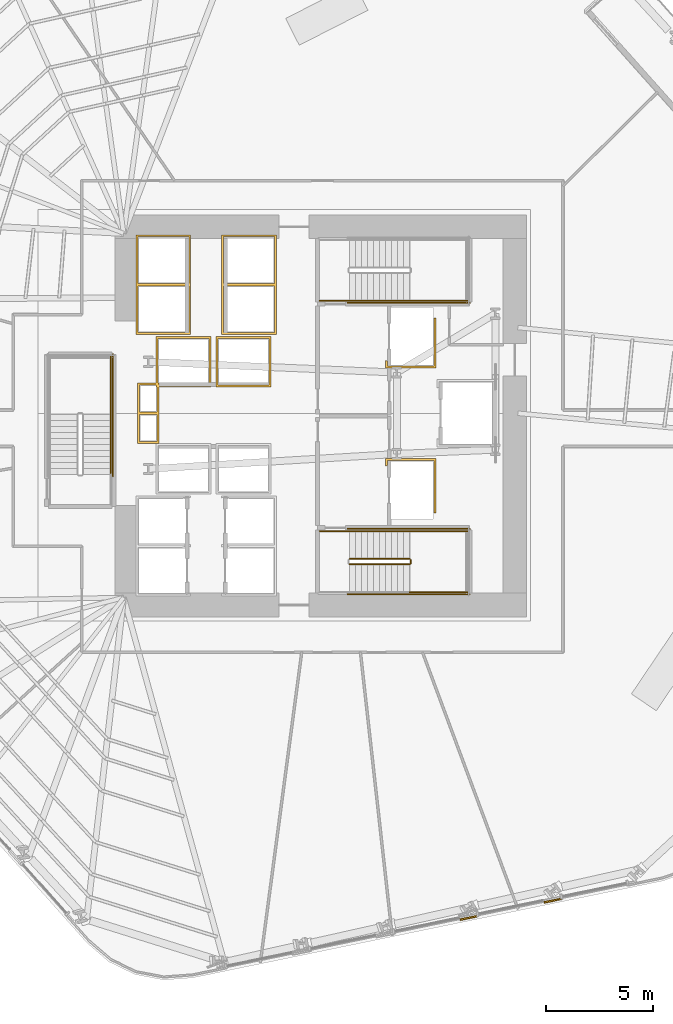
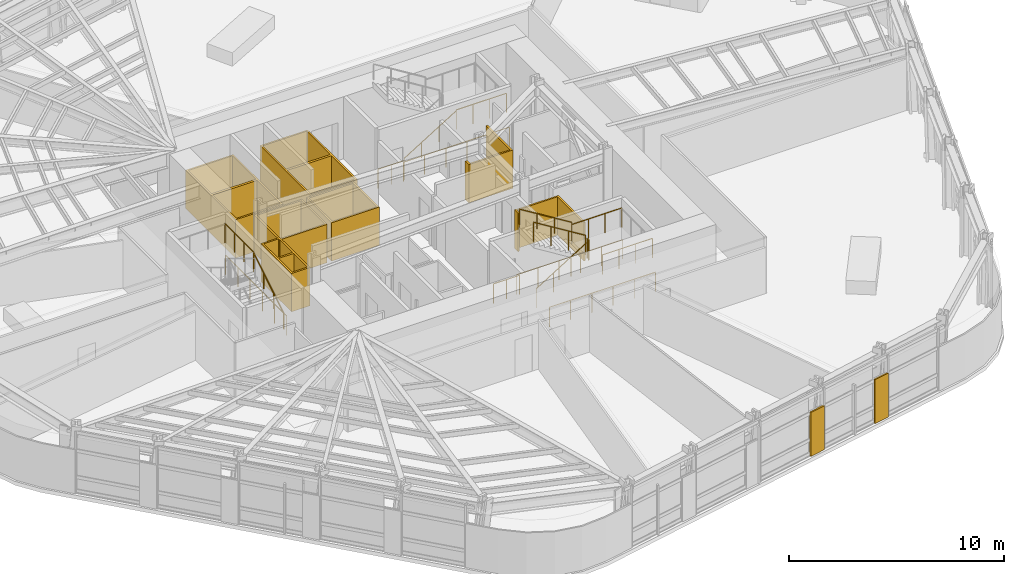
# One storey, part 13 of 17: 16 railings, 8 coverings.
"""IFC4 building model written with IfcOpenShell, lengths in metres."""

import ifcopenshell
import ifcopenshell.guid

model = None  # the IFC model being written
_history = None  # IfcOwnerHistory: only IFC2X3 demands one
_inside = {}  # id of a spatial element -> (the spatial element, [elements in it])
_under = {}  # id of a project, library or spatial element -> (it, [spatial elements below it])
_declared = {}  # id of a project -> (the project, [libraries it declares])
_typed = {}  # id of a type object -> (the type object, [elements of that type])
_made_of = {}  # id of a material, layer set ... -> (it, [elements and type objects made of it])


def new_model(schema):
    """Start an empty IFC model of exactly this schema.

    Asked for "IFC4X3", IfcOpenShell would pick the latest addendum, in which some entities
    have other attributes; the version numbers below select the first issue.
    IFC2X3 requires an IfcOwnerHistory on every rooted entity: one is made here for all.
    """
    global model, _history
    if schema == "IFC4X3":
        model = ifcopenshell.file(schema_version=(4, 3, 0, 0))
    else:
        model = ifcopenshell.file(schema=schema)
    _inside.clear()
    _under.clear()
    _declared.clear()
    _typed.clear()
    _made_of.clear()
    _history = None
    if model.schema == "IFC2X3":
        org = make("IfcOrganization", Name="unknown")
        user = make(
            "IfcPersonAndOrganization",
            ThePerson=make("IfcPerson", FamilyName="unknown"),
            TheOrganization=org,
        )
        app = make(
            "IfcApplication",
            ApplicationDeveloper=org,
            Version="unknown",
            ApplicationFullName="unknown",
            ApplicationIdentifier="unknown",
        )
        _history = make(
            "IfcOwnerHistory",
            OwningUser=user,
            OwningApplication=app,
            ChangeAction="ADDED",
            CreationDate=0,
        )
    return model


def make(cls, **values):
    """One entity of the class cls with the attributes given. An attribute that is None is left unset."""
    return model.create_entity(
        cls, **{name: value for name, value in values.items() if value is not None}
    )


def rooted(cls, **values):
    """An entity with a GlobalId (a new one), such as an element, a storey or a relation."""
    return make(cls, GlobalId=ifcopenshell.guid.new(), OwnerHistory=_history, **values)


def si_unit(unit_type, name, prefix=None):
    """IfcSIUnit, for example si_unit("LENGTHUNIT", "METRE", prefix="MILLI")."""
    return make("IfcSIUnit", UnitType=unit_type, Prefix=prefix, Name=name)


def assignment(units):
    """IfcUnitAssignment: the units of a project."""
    return None if units is None else make("IfcUnitAssignment", Units=units)


def point(xyz):
    """IfcCartesianPoint."""
    return None if xyz is None else make("IfcCartesianPoint", Coordinates=xyz)


def direction(xyz):
    """IfcDirection."""
    return None if xyz is None else make("IfcDirection", DirectionRatios=xyz)


def frame(location, z_axis=None, x_axis=None):
    """IfcAxis2Placement3D, a coordinate frame: its origin and axes. An axis left out is left unset."""
    return make(
        "IfcAxis2Placement3D",
        Location=point(location),
        Axis=direction(z_axis),
        RefDirection=direction(x_axis),
    )


def frame_2d(location, x_axis=None):
    """IfcAxis2Placement2D, a coordinate frame in the plane: its origin and x axis."""
    return make(
        "IfcAxis2Placement2D", Location=point(location), RefDirection=direction(x_axis)
    )


def origin():
    """The frame at (0, 0, 0) with its axes left unset."""
    return frame((0.0, 0.0, 0.0))


def origin_2d():
    """The frame at (0, 0) in the plane with its x axis left unset."""
    return frame_2d((0.0, 0.0))


def place(relative_to, where):
    """IfcLocalPlacement: puts the frame where relative to a parent placement (None: the world)."""
    return make(
        "IfcLocalPlacement", PlacementRelTo=relative_to, RelativePlacement=where
    )


def context(
    kind, dimensions, precision=None, world=None, true_north=None, identifier=None
):
    """IfcGeometricRepresentationContext, for example the 3D "Model" context."""
    return make(
        "IfcGeometricRepresentationContext",
        ContextIdentifier=identifier,
        ContextType=kind,
        CoordinateSpaceDimension=dimensions,
        Precision=precision,
        WorldCoordinateSystem=world,
        TrueNorth=true_north,
    )


def subcontext(parent, identifier, kind, view, scale=None):
    """IfcGeometricRepresentationSubContext, for example "Body" below "Model"."""
    return make(
        "IfcGeometricRepresentationSubContext",
        ContextIdentifier=identifier,
        ContextType=kind,
        ParentContext=parent,
        TargetScale=scale,
        TargetView=view,
    )


def project(units=None, contexts=None):
    """IfcProject with its units and contexts."""
    return rooted(
        "IfcProject",
        Name="project",
        RepresentationContexts=contexts,
        UnitsInContext=assignment(units),
    )


def spatial(cls, under=None, at=None, **own):
    """A site, building, storey or space (cls), placed at a placement, below another one or the project."""
    s = rooted(cls, ObjectPlacement=at, **own)
    if under is not None:
        _under.setdefault(under.id(), (under, []))[1].append(s)
    return s


def polyline(points):
    """IfcPolyline through the points."""
    return make("IfcPolyline", Points=[point(p) for p in points])


def profile(cls, at=None, kind="AREA", **sizes):
    """A parametric profile (cls). Its sizes go by their IFC names, for example OverallWidth=200.0."""
    return make(cls, ProfileType=kind, Position=at, **sizes)


def circle(**sizes):
    """IfcCircleProfileDef."""
    return profile("IfcCircleProfileDef", **sizes)


def outline(outer, holes=None, kind="AREA"):
    """IfcArbitraryClosedProfileDef: a profile drawn as a closed curve; with holes, ...WithVoids."""
    if holes is None:
        return make("IfcArbitraryClosedProfileDef", ProfileType=kind, OuterCurve=outer)
    return make(
        "IfcArbitraryProfileDefWithVoids",
        ProfileType=kind,
        OuterCurve=outer,
        InnerCurves=holes,
    )


def extrude(swept, where, along, depth):
    """IfcExtrudedAreaSolid: the profile swept, set in the frame where, extruded along a direction by depth."""
    return make(
        "IfcExtrudedAreaSolid",
        SweptArea=swept,
        Position=where,
        ExtrudedDirection=direction(along),
        Depth=depth,
    )


def shape(context_of_items, identifier, shape_type, items):
    """IfcShapeRepresentation: the items that make up one representation, for example the "Body"."""
    return make(
        "IfcShapeRepresentation",
        ContextOfItems=context_of_items,
        RepresentationIdentifier=identifier,
        RepresentationType=shape_type,
        Items=items,
    )


def material(Name=None, Category=None):
    """IfcMaterial."""
    return make("IfcMaterial", Name=Name, Category=Category)


def layer(
    of_material, thickness, ventilated=None, Name=None, Category=None, Priority=None
):
    """IfcMaterialLayer: one layer of a wall or slab, of a material (None: an air gap)."""
    return make(
        "IfcMaterialLayer",
        Material=of_material,
        LayerThickness=thickness,
        IsVentilated=ventilated,
        Name=Name,
        Category=Category,
        Priority=Priority,
    )


def layer_set(layers, Name=None):
    """IfcMaterialLayerSet."""
    return make("IfcMaterialLayerSet", MaterialLayers=layers, LayerSetName=Name)


def made_of(thing, what):
    """Note that an element or type object is made of a material, layer set ...; save() writes the relation."""
    if what is not None:
        _made_of.setdefault(what.id(), (what, []))[1].append(thing)
    return thing


def type_object(cls, material=None, **own):
    """A type object (cls), such as IfcWallType, which elements share."""
    return made_of(rooted(cls, **own), material)


def element(
    cls,
    number,
    at=None,
    inside=None,
    cuts=None,
    type_object=None,
    material=None,
    context=None,
    identifier="Body",
    shape_type=None,
    held_by="IfcProductDefinitionShape",
    body=None,
    shapes=None,
    **own,
):
    """One element of the class cls, such as IfcWall. Its Tag is "e" and its number.

    at: its placement. inside: the storey or other place that contains it. cuts: it is an
    opening in that element (IfcRelVoidsElement). A single representation is given by context,
    identifier, shape_type and body (its items); several are given by shapes. held_by: the class
    of the entity that holds the representations. save() writes the other relations.
    """
    e = rooted(cls, Tag="e%d" % number, ObjectPlacement=at, **own)
    if body is not None:
        shapes = [shape(context, identifier, shape_type, body)]
    if shapes is not None:
        e.Representation = make(held_by, Representations=shapes)
    if inside is not None:
        _inside.setdefault(inside.id(), (inside, []))[1].append(e)
    if cuts is not None:
        rooted(
            "IfcRelVoidsElement", RelatingBuildingElement=cuts, RelatedOpeningElement=e
        )
    if type_object is not None:
        _typed.setdefault(type_object.id(), (type_object, []))[1].append(e)
    return made_of(e, material)


def aggregate(whole, parts):
    """IfcRelAggregates: a whole, such as a stair, and the parts it consists of."""
    return rooted("IfcRelAggregates", RelatingObject=whole, RelatedObjects=parts)


def save(model, path):
    """Write the relations noted so far, then the file.

    IfcRelAggregates (storeys below a building ...), IfcRelContainedInSpatialStructure (elements
    in a storey), IfcRelDefinesByType, IfcRelAssociatesMaterial and IfcRelDeclares: one each for
    every whole, place, type object, material and project.
    """
    for whole, parts in _under.values():
        aggregate(whole, parts)
    for where, things in _inside.values():
        rooted(
            "IfcRelContainedInSpatialStructure",
            RelatedElements=things,
            RelatingStructure=where,
        )
    for kind, things in _typed.values():
        rooted("IfcRelDefinesByType", RelatedObjects=things, RelatingType=kind)
    for what, things in _made_of.values():
        rooted("IfcRelAssociatesMaterial", RelatedObjects=things, RelatingMaterial=what)
    for by, libraries in _declared.values():
        rooted("IfcRelDeclares", RelatingContext=by, RelatedDefinitions=libraries)
    model.write(path)


model = new_model("IFC4")

# Units and contexts
model_context = context("Model", 3, precision=1e-05, world=origin(), true_north=direction((0.0, 1.0)))
body_context = subcontext(model_context, "Body", "Model", "MODEL_VIEW")
ifc_project = project(units=[si_unit("LENGTHUNIT", "METRE"), si_unit("AREAUNIT", "SQUARE_METRE"), si_unit("VOLUMEUNIT", "CUBIC_METRE"), si_unit("PLANEANGLEUNIT", "RADIAN"), si_unit("MASSUNIT", "GRAM", prefix="KILO")], contexts=[model_context])

# Site, building, storey
site_placement = place(None, origin())
site = spatial("IfcSite", under=ifc_project, at=site_placement, CompositionType="ELEMENT")
building_placement = place(site_placement, origin())
building = spatial("IfcBuilding", under=site, at=building_placement, Name="Valkerne Bourse Tower", CompositionType="ELEMENT")
storey_placement = place(building_placement, frame((0.0, 0.0, 73.39990234375)))
storey = spatial("IfcBuildingStorey", under=building, at=storey_placement, Name="L18", CompositionType="ELEMENT", Elevation=73.39990234375)

# Coverings
ifc_material_1 = material(Name="Bronze Anodised Aluminium AA 6063-T6", Category="aluminium")
ifc_layer_1 = layer(ifc_material_1, 0.06005859375)
ifc_layer_set_1 = layer_set([ifc_layer_1], Name="Bronze Anodised Aluminium AA 6063-T6")
covering_type_1 = type_object("IfcCoveringType", Name="COV-CRN-ALUM", PredefinedType="CLADDING", material=ifc_layer_set_1)
covering_1_placement = place(storey_placement, origin())
element("IfcCovering", 1, at=covering_1_placement, inside=storey, type_object=covering_type_1, Name="L18 Wind-Shaped Corner Aluminium Cladding 07", PredefinedType="CLADDING", context=body_context, shape_type="SweptSolid", body=[
    extrude(outline(polyline([(57.228515625, 4.12939453125), (57.21240234375, 4.207763671875), (58.034912109375, 4.377197265625), (58.05126953125, 4.299072265625), (57.228515625, 4.12939453125)])), origin(), (0.0, 0.0, 1.0), 2.5),
])
covering_2_placement = place(storey_placement, origin())
element("IfcCovering", 2, at=covering_2_placement, inside=storey, type_object=covering_type_1, Name="L18 Wind-Shaped Corner Aluminium Cladding 08", PredefinedType="CLADDING", context=body_context, shape_type="SweptSolid", body=[
    extrude(outline(polyline([(53.31494140625, 3.322509765625), (53.298583984375, 3.40087890625), (54.121337890625, 3.570556640625), (54.137451171875, 3.4921875), (53.31494140625, 3.322509765625)])), origin(), (0.0, 0.0, 1.0), 2.5),
])
ifc_material_2 = material(Name="Gypsum Shaftwall Liner Board", Category="gypsum")
ifc_layer_2 = layer(ifc_material_2, 0.080078125)
ifc_layer_set_2 = layer_set([ifc_layer_2], Name="Gypsum Shaftwall Liner Board")
covering_type_2 = type_object("IfcCoveringType", Name="COV-SHF-CLAD", PredefinedType="CLADDING", material=ifc_layer_set_2)
covering_3_placement = place(storey_placement, origin())
element("IfcCovering", 3, at=covering_3_placement, inside=storey, type_object=covering_type_2, Name="L18 Hoistway & Riser Shaftwall Liner 04", PredefinedType="CLADDING", context=body_context, shape_type="SweptSolid", body=[
    extrude(outline(polyline([(38.239990234375, 28.409912109375), (39.1201171875, 28.409912109375), (39.1201171875, 30.580078125), (41.679931640625, 30.580078125), (41.679931640625, 28.219970703125), (39.239990234375, 28.219970703125), (39.239990234375, 27.0400390625), (39.239990234375, 26.9599609375), (39.239990234375, 25.590087890625), (38.239990234375, 25.590087890625), (38.239990234375, 26.9599609375), (38.239990234375, 27.0400390625), (38.239990234375, 28.409912109375)]), holes=[polyline([(39.2099609375, 30.489990234375), (39.2099609375, 28.409912109375), (39.239990234375, 28.409912109375), (39.239990234375, 28.31005859375), (41.590087890625, 28.31005859375), (41.590087890625, 30.489990234375), (39.2099609375, 30.489990234375)]), polyline([(38.330078125, 26.949951171875), (38.330078125, 25.679931640625), (39.14990234375, 25.679931640625), (39.14990234375, 26.949951171875), (38.330078125, 26.949951171875)]), polyline([(39.1201171875, 28.219970703125), (39.1201171875, 28.320068359375), (38.330078125, 28.320068359375), (38.330078125, 27.050048828125), (39.14990234375, 27.050048828125), (39.14990234375, 28.219970703125), (39.1201171875, 28.219970703125)])]), origin(), (0.0, 0.0, 1.0), 2.18017578125),
])
covering_4_placement = place(storey_placement, origin())
element("IfcCovering", 4, at=covering_4_placement, inside=storey, type_object=covering_type_2, Name="L18 Hoistway & Riser Shaftwall Liner 05", PredefinedType="CLADDING", context=body_context, shape_type="SweptSolid", body=[
    extrude(outline(polyline([(38.169921875, 35.330078125), (40.72998046875, 35.330078125), (40.72998046875, 33.030029296875), (40.72998046875, 32.969970703125), (40.72998046875, 30.669921875), (38.169921875, 30.669921875), (38.169921875, 32.969970703125), (38.169921875, 33.030029296875), (38.169921875, 35.330078125)]), holes=[polyline([(38.260009765625, 32.93994140625), (38.260009765625, 30.760009765625), (40.639892578125, 30.760009765625), (40.639892578125, 32.93994140625), (38.260009765625, 32.93994140625)]), polyline([(38.260009765625, 35.239990234375), (38.260009765625, 33.06005859375), (40.639892578125, 33.06005859375), (40.639892578125, 35.239990234375), (38.260009765625, 35.239990234375)])]), origin(), (0.0, 0.0, 1.0), 2.18017578125),
])
covering_5_placement = place(storey_placement, origin())
element("IfcCovering", 5, at=covering_5_placement, inside=storey, type_object=covering_type_2, Name="L18 Hoistway & Riser Shaftwall Liner 07", PredefinedType="CLADDING", context=body_context, shape_type="SweptSolid", body=[
    extrude(outline(polyline([(52.179931640625, 22.35009765625), (52.090087890625, 22.35009765625), (52.090087890625, 24.7900390625), (49.909912109375, 24.7900390625), (49.909912109375, 24.560791015625), (49.869384765625, 24.550537109375), (49.827880859375, 24.53564453125), (49.820068359375, 24.531982421875), (49.820068359375, 24.8798828125), (52.179931640625, 24.8798828125), (52.179931640625, 22.35009765625)])), origin(), (0.0, 0.0, 1.0), 2.18017578125),
])
covering_6_placement = place(storey_placement, origin())
element("IfcCovering", 6, at=covering_6_placement, inside=storey, type_object=covering_type_2, Name="L18 Hoistway & Riser Shaftwall Liner 09", PredefinedType="CLADDING", context=body_context, shape_type="SweptSolid", body=[
    extrude(outline(polyline([(44.47998046875, 28.219970703125), (41.919921875, 28.219970703125), (41.919921875, 30.580078125), (44.47998046875, 30.580078125), (44.47998046875, 28.219970703125)]), holes=[polyline([(42.010009765625, 30.489990234375), (42.010009765625, 28.31005859375), (44.389892578125, 28.31005859375), (44.389892578125, 30.489990234375), (42.010009765625, 30.489990234375)])]), origin(), (0.0, 0.0, 1.0), 2.18017578125),
])
covering_7_placement = place(storey_placement, origin())
element("IfcCovering", 7, at=covering_7_placement, inside=storey, type_object=covering_type_2, Name="L18 Hoistway & Riser Shaftwall Liner 10", PredefinedType="CLADDING", context=body_context, shape_type="SweptSolid", body=[
    extrude(outline(polyline([(49.820068359375, 29.1201171875), (49.820068359375, 29.468017578125), (49.827880859375, 29.46435546875), (49.869384765625, 29.449462890625), (49.909912109375, 29.439208984375), (49.909912109375, 29.2099609375), (52.090087890625, 29.2099609375), (52.090087890625, 31.449951171875), (52.179931640625, 31.449951171875), (52.179931640625, 29.1201171875), (49.820068359375, 29.1201171875)])), origin(), (0.0, 0.0, 1.0), 2.18017578125),
])
covering_8_placement = place(storey_placement, origin())
element("IfcCovering", 8, at=covering_8_placement, inside=storey, type_object=covering_type_2, Name="L18 Hoistway & Riser Shaftwall Liner 11", PredefinedType="CLADDING", context=body_context, shape_type="SweptSolid", body=[
    extrude(outline(polyline([(44.72998046875, 35.330078125), (44.72998046875, 33.030029296875), (44.72998046875, 32.969970703125), (44.72998046875, 30.669921875), (42.169921875, 30.669921875), (42.169921875, 32.969970703125), (42.169921875, 33.030029296875), (42.169921875, 35.330078125), (44.72998046875, 35.330078125)]), holes=[polyline([(42.260009765625, 30.760009765625), (44.639892578125, 30.760009765625), (44.639892578125, 32.93994140625), (42.260009765625, 32.93994140625), (42.260009765625, 30.760009765625)]), polyline([(42.260009765625, 33.06005859375), (44.639892578125, 33.06005859375), (44.639892578125, 35.239990234375), (42.260009765625, 35.239990234375), (42.260009765625, 33.06005859375)])]), origin(), (0.0, 0.0, 1.0), 2.18017578125),
])

# Railings
ifc_material_3 = material(Name="Galvanised Painted Steel", Category="steel")
railing_type_1 = type_object("IfcRailingType", Name="RLG-ST-GUARD-1120", PredefinedType="GUARDRAIL", material=ifc_material_3)
railing_1_placement = place(storey_placement, frame((48.14990234375, 19.949951171875, 0.1728515625)))
element("IfcRailing", 9, at=railing_1_placement, inside=storey, type_object=railing_type_1, Name="L18 ST-1 stair guard 1", PredefinedType="GUARDRAIL", context=body_context, shape_type="SweptSolid", body=[
    extrude(circle(Radius=0.02392578125, at=origin_2d()), frame((0.0, 0.0, 1.09619140625), z_axis=(0.851089632645, 0.0, 0.525020415988), x_axis=(0.0, 1.0, 0.0)), (0.0, 0.0, 1.0), 3.2900390625),
    extrude(circle(Radius=0.02099609375, at=origin_2d()), origin(), (0.0, 0.0, 1.0), 1.072021484375),
    extrude(circle(Radius=0.02099609375, at=origin_2d()), frame((0.933349609375, 0.0, 0.57568359375)), (0.0, 0.0, 1.0), 1.072021484375),
    extrude(circle(Radius=0.02099609375, at=origin_2d()), frame((1.86669921875, 0.0, 1.151611328125)), (0.0, 0.0, 1.0), 1.072021484375),
    extrude(circle(Radius=0.02099609375, at=origin_2d()), frame((2.800048828125, 0.0, 1.727294921875)), (0.0, 0.0, 1.0), 1.072021484375),
])
railing_2_placement = place(storey_placement, frame((51.0, 20.0, 1.900146484375)))
element("IfcRailing", 10, at=railing_2_placement, inside=storey, type_object=railing_type_1, Name="L18 ST-1 stair guard 2", PredefinedType="GUARDRAIL", context=body_context, shape_type="SweptSolid", body=[
    extrude(circle(Radius=0.02392578125, at=origin_2d()), frame((0.0, 0.0, 1.09619140625), z_axis=(0.0, 1.0, 0.0), x_axis=(-1.0, 0.0, 0.0)), (0.0, 0.0, 1.0), 0.14990234375),
    extrude(circle(Radius=0.02099609375, at=origin_2d()), origin(), (0.0, 0.0, 1.0), 1.072021484375),
    extrude(circle(Radius=0.02099609375, at=origin_2d()), frame((0.0, 0.14990234375, 0.0)), (0.0, 0.0, 1.0), 1.072021484375),
])
for number, where, name in (
    (11, (50.949951171875, 18.64990234375, 1.900146484375), "L18 ST-1 stair guard 3"),
    (12, (50.949951171875, 21.5, 1.900146484375), "L18 ST-1 stair guard 4"),
):
    element("IfcRailing", number, at=place(storey_placement, frame(where)), inside=storey, type_object=railing_type_1, Name=name, PredefinedType="GUARDRAIL", context=body_context, shape_type="SweptSolid", body=[
        extrude(circle(Radius=0.02392578125, at=origin_2d()), frame((0.0, 0.0, 1.09619140625), z_axis=(1.0, 0.0, 0.0), x_axis=(0.0, 1.0, 0.0)), (0.0, 0.0, 1.0), 2.699951171875),
        extrude(circle(Radius=0.02099609375, at=origin_2d()), origin(), (0.0, 0.0, 1.0), 1.072021484375),
        extrude(circle(Radius=0.02099609375, at=origin_2d()), frame((0.89990234375, 0.0, 0.0)), (0.0, 0.0, 1.0), 1.072021484375),
        extrude(circle(Radius=0.02099609375, at=origin_2d()), frame((1.800048828125, 0.0, 0.0)), (0.0, 0.0, 1.0), 1.072021484375),
        extrude(circle(Radius=0.02099609375, at=origin_2d()), frame((2.699951171875, 0.0, 0.0)), (0.0, 0.0, 1.0), 1.072021484375),
    ])
railing_3_placement = place(storey_placement, frame((50.949951171875, 20.199951171875, 2.07275390625)))
element("IfcRailing", 13, at=railing_3_placement, inside=storey, type_object=railing_type_1, Name="L18 ST-1 stair guard 6", PredefinedType="GUARDRAIL", context=body_context, shape_type="SweptSolid", body=[
    extrude(circle(Radius=0.02392578125, at=origin_2d()), frame((0.0, 0.0, 1.09619140625), z_axis=(-0.851089632645, 0.0, 0.525020415988), x_axis=(0.0, -1.0, 0.0)), (0.0, 0.0, 1.0), 3.2900390625),
    extrude(circle(Radius=0.02099609375, at=origin_2d()), origin(), (0.0, 0.0, 1.0), 1.072021484375),
    extrude(circle(Radius=0.02099609375, at=origin_2d()), frame((-0.933349609375, 0.0, 0.57568359375)), (0.0, 0.0, 1.0), 1.072021484375),
    extrude(circle(Radius=0.02099609375, at=origin_2d()), frame((-1.86669921875, 0.0, 1.151611328125)), (0.0, 0.0, 1.0), 1.072021484375),
    extrude(circle(Radius=0.02099609375, at=origin_2d()), frame((-2.800048828125, 0.0, 1.727294921875)), (0.0, 0.0, 1.0), 1.072021484375),
])
railing_4_placement = place(storey_placement, frame((46.75, 21.5, 0.0)))
element("IfcRailing", 14, at=railing_4_placement, inside=storey, type_object=railing_type_1, Name="L18 ST-1 stair guard 9", PredefinedType="GUARDRAIL", context=body_context, shape_type="SweptSolid", body=[
    extrude(circle(Radius=0.02392578125, at=origin_2d()), frame((0.0, 0.0, 1.09619140625), z_axis=(1.0, 0.0, 0.0), x_axis=(0.0, 1.0, 0.0)), (0.0, 0.0, 1.0), 1.39990234375),
    extrude(circle(Radius=0.02099609375, at=origin_2d()), origin(), (0.0, 0.0, 1.0), 1.072021484375),
    extrude(circle(Radius=0.02099609375, at=origin_2d()), frame((0.699951171875, 0.0, 0.0)), (0.0, 0.0, 1.0), 1.072021484375),
    extrude(circle(Radius=0.02099609375, at=origin_2d()), frame((1.39990234375, 0.0, 0.0)), (0.0, 0.0, 1.0), 1.072021484375),
])
for number, where, name in (
    (15, (48.050048828125, 18.550048828125, 0.0), "L18 ST-1 stair guard 10"),
    (16, (48.050048828125, 21.60009765625, 0.0), "L18 ST-1 stair guard 11"),
):
    element("IfcRailing", number, at=place(storey_placement, frame(where)), inside=storey, type_object=railing_type_1, Name=name, PredefinedType="GUARDRAIL", context=body_context, shape_type="SweptSolid", body=[
        extrude(circle(Radius=0.02392578125, at=origin_2d()), frame((0.0, 0.0, 1.09619140625), z_axis=(1.0, 0.0, 0.0), x_axis=(0.0, 1.0, 0.0)), (0.0, 0.0, 1.0), 5.699951171875),
        extrude(circle(Radius=0.02099609375, at=origin_2d()), origin(), (0.0, 0.0, 1.0), 1.072021484375),
        extrude(circle(Radius=0.02099609375, at=origin_2d()), frame((1.139892578125, 0.0, 0.0)), (0.0, 0.0, 1.0), 1.072021484375),
        extrude(circle(Radius=0.02099609375, at=origin_2d()), frame((2.280029296875, 0.0, 0.0)), (0.0, 0.0, 1.0), 1.072021484375),
        extrude(circle(Radius=0.02099609375, at=origin_2d()), frame((3.419921875, 0.0, 0.0)), (0.0, 0.0, 1.0), 1.072021484375),
        extrude(circle(Radius=0.02099609375, at=origin_2d()), frame((4.56005859375, 0.0, 0.0)), (0.0, 0.0, 1.0), 1.072021484375),
        extrude(circle(Radius=0.02099609375, at=origin_2d()), frame((5.699951171875, 0.0, 0.0)), (0.0, 0.0, 1.0), 1.072021484375),
    ])
railing_5_placement = place(storey_placement, frame((50.949951171875, 32.25, 1.900146484375)))
element("IfcRailing", 17, at=railing_5_placement, inside=storey, type_object=railing_type_1, Name="L18 ST-2 stair guard 3", PredefinedType="GUARDRAIL", context=body_context, shape_type="SweptSolid", body=[
    extrude(circle(Radius=0.02392578125, at=origin_2d()), frame((0.0, 0.0, 1.09619140625), z_axis=(1.0, 0.0, 0.0), x_axis=(0.0, 1.0, 0.0)), (0.0, 0.0, 1.0), 2.699951171875),
    extrude(circle(Radius=0.02099609375, at=origin_2d()), origin(), (0.0, 0.0, 1.0), 1.072021484375),
    extrude(circle(Radius=0.02099609375, at=origin_2d()), frame((0.89990234375, 0.0, 0.0)), (0.0, 0.0, 1.0), 1.072021484375),
    extrude(circle(Radius=0.02099609375, at=origin_2d()), frame((1.800048828125, 0.0, 0.0)), (0.0, 0.0, 1.0), 1.072021484375),
    extrude(circle(Radius=0.02099609375, at=origin_2d()), frame((2.699951171875, 0.0, 0.0)), (0.0, 0.0, 1.0), 1.072021484375),
])
railing_6_placement = place(storey_placement, frame((46.75, 32.25, 0.0)))
element("IfcRailing", 18, at=railing_6_placement, inside=storey, type_object=railing_type_1, Name="L18 ST-2 stair guard 8", PredefinedType="GUARDRAIL", context=body_context, shape_type="SweptSolid", body=[
    extrude(circle(Radius=0.02392578125, at=origin_2d()), frame((0.0, 0.0, 1.09619140625), z_axis=(1.0, 0.0, 0.0), x_axis=(0.0, 1.0, 0.0)), (0.0, 0.0, 1.0), 1.39990234375),
    extrude(circle(Radius=0.02099609375, at=origin_2d()), origin(), (0.0, 0.0, 1.0), 1.072021484375),
    extrude(circle(Radius=0.02099609375, at=origin_2d()), frame((0.699951171875, 0.0, 0.0)), (0.0, 0.0, 1.0), 1.072021484375),
    extrude(circle(Radius=0.02099609375, at=origin_2d()), frame((1.39990234375, 0.0, 0.0)), (0.0, 0.0, 1.0), 1.072021484375),
])
railing_7_placement = place(storey_placement, frame((48.050048828125, 32.14990234375, 0.0)))
element("IfcRailing", 19, at=railing_7_placement, inside=storey, type_object=railing_type_1, Name="L18 ST-2 stair guard 10", PredefinedType="GUARDRAIL", context=body_context, shape_type="SweptSolid", body=[
    extrude(circle(Radius=0.02392578125, at=origin_2d()), frame((0.0, 0.0, 1.09619140625), z_axis=(1.0, 0.0, 0.0), x_axis=(0.0, 1.0, 0.0)), (0.0, 0.0, 1.0), 5.699951171875),
    extrude(circle(Radius=0.02099609375, at=origin_2d()), origin(), (0.0, 0.0, 1.0), 1.072021484375),
    extrude(circle(Radius=0.02099609375, at=origin_2d()), frame((1.139892578125, 0.0, 0.0)), (0.0, 0.0, 1.0), 1.072021484375),
    extrude(circle(Radius=0.02099609375, at=origin_2d()), frame((2.280029296875, 0.0, 0.0)), (0.0, 0.0, 1.0), 1.072021484375),
    extrude(circle(Radius=0.02099609375, at=origin_2d()), frame((3.419921875, 0.0, 0.0)), (0.0, 0.0, 1.0), 1.072021484375),
    extrude(circle(Radius=0.02099609375, at=origin_2d()), frame((4.56005859375, 0.0, 0.0)), (0.0, 0.0, 1.0), 1.072021484375),
    extrude(circle(Radius=0.02099609375, at=origin_2d()), frame((5.699951171875, 0.0, 0.0)), (0.0, 0.0, 1.0), 1.072021484375),
])
railing_8_placement = place(storey_placement, frame((37.0, 26.949951171875, 1.900146484375)))
element("IfcRailing", 20, at=railing_8_placement, inside=storey, type_object=railing_type_1, Name="L18 ST-3 stair guard 3", PredefinedType="GUARDRAIL", context=body_context, shape_type="SweptSolid", body=[
    extrude(circle(Radius=0.02392578125, at=origin_2d()), frame((0.0, 0.0, 1.09619140625), z_axis=(0.0, 1.0, 0.0), x_axis=(-1.0, 0.0, 0.0)), (0.0, 0.0, 1.0), 2.699951171875),
    extrude(circle(Radius=0.02099609375, at=origin_2d()), origin(), (0.0, 0.0, 1.0), 1.072021484375),
    extrude(circle(Radius=0.02099609375, at=origin_2d()), frame((0.0, 0.89990234375, 0.0)), (0.0, 0.0, 1.0), 1.072021484375),
    extrude(circle(Radius=0.02099609375, at=origin_2d()), frame((0.0, 1.800048828125, 0.0)), (0.0, 0.0, 1.0), 1.072021484375),
    extrude(circle(Radius=0.02099609375, at=origin_2d()), frame((0.0, 2.699951171875, 0.0)), (0.0, 0.0, 1.0), 1.072021484375),
])
railing_9_placement = place(storey_placement, frame((37.10009765625, 24.050048828125, 0.0)))
element("IfcRailing", 21, at=railing_9_placement, inside=storey, type_object=railing_type_1, Name="L18 ST-3 stair guard 10", PredefinedType="GUARDRAIL", context=body_context, shape_type="SweptSolid", body=[
    extrude(circle(Radius=0.02392578125, at=origin_2d()), frame((0.0, 0.0, 1.09619140625), z_axis=(0.0, 1.0, 0.0), x_axis=(-1.0, 0.0, 0.0)), (0.0, 0.0, 1.0), 5.699951171875),
    extrude(circle(Radius=0.02099609375, at=origin_2d()), origin(), (0.0, 0.0, 1.0), 1.072021484375),
    extrude(circle(Radius=0.02099609375, at=origin_2d()), frame((0.0, 1.139892578125, 0.0)), (0.0, 0.0, 1.0), 1.072021484375),
    extrude(circle(Radius=0.02099609375, at=origin_2d()), frame((0.0, 2.280029296875, 0.0)), (0.0, 0.0, 1.0), 1.072021484375),
    extrude(circle(Radius=0.02099609375, at=origin_2d()), frame((0.0, 3.419921875, 0.0)), (0.0, 0.0, 1.0), 1.072021484375),
    extrude(circle(Radius=0.02099609375, at=origin_2d()), frame((0.0, 4.56005859375, 0.0)), (0.0, 0.0, 1.0), 1.072021484375),
    extrude(circle(Radius=0.02099609375, at=origin_2d()), frame((0.0, 5.699951171875, 0.0)), (0.0, 0.0, 1.0), 1.072021484375),
])
ifc_material_4 = material(Name="Stainless Steel AISI 316", Category="steel")
railing_type_2 = type_object("IfcRailingType", Name="RLG-ST-HANDRAIL-900", PredefinedType="HANDRAIL", material=ifc_material_4)
railing_10_placement = place(storey_placement, frame((50.949951171875, 21.5, 2.24560546875)))
element("IfcRailing", 22, at=railing_10_placement, inside=storey, type_object=railing_type_2, Name="L18 ST-1 stair handrail 2", PredefinedType="HANDRAIL", context=body_context, shape_type="SweptSolid", body=[
    extrude(circle(Radius=0.02392578125, at=origin_2d()), frame((0.0, 0.0, 0.8759765625), z_axis=(-0.851089632645, 0.0, 0.525020415988), x_axis=(0.0, -1.0, 0.0)), (0.0, 0.0, 1.0), 3.2900390625),
    extrude(circle(Radius=0.02099609375, at=origin_2d()), origin(), (0.0, 0.0, 1.0), 0.851806640625),
    extrude(circle(Radius=0.02099609375, at=origin_2d()), frame((-0.933349609375, 0.0, 0.57568359375)), (0.0, 0.0, 1.0), 0.851806640625),
    extrude(circle(Radius=0.02099609375, at=origin_2d()), frame((-1.86669921875, 0.0, 1.151611328125)), (0.0, 0.0, 1.0), 0.851806640625),
    extrude(circle(Radius=0.02099609375, at=origin_2d()), frame((-2.800048828125, 0.0, 1.727294921875)), (0.0, 0.0, 1.0), 0.851806640625),
])
railing_11_placement = place(storey_placement, frame((48.14990234375, 32.25, 0.345458984375)))
element("IfcRailing", 23, at=railing_11_placement, inside=storey, type_object=railing_type_2, Name="L18 ST-2 stair handrail 1", PredefinedType="HANDRAIL", context=body_context, shape_type="SweptSolid", body=[
    extrude(circle(Radius=0.02392578125, at=origin_2d()), frame((0.0, 0.0, 0.8759765625), z_axis=(0.851089632645, 0.0, 0.525020415988), x_axis=(0.0, 1.0, 0.0)), (0.0, 0.0, 1.0), 3.2900390625),
    extrude(circle(Radius=0.02099609375, at=origin_2d()), origin(), (0.0, 0.0, 1.0), 0.851806640625),
    extrude(circle(Radius=0.02099609375, at=origin_2d()), frame((0.933349609375, 0.0, 0.57568359375)), (0.0, 0.0, 1.0), 0.851806640625),
    extrude(circle(Radius=0.02099609375, at=origin_2d()), frame((1.86669921875, 0.0, 1.151611328125)), (0.0, 0.0, 1.0), 0.851806640625),
    extrude(circle(Radius=0.02099609375, at=origin_2d()), frame((2.800048828125, 0.0, 1.727294921875)), (0.0, 0.0, 1.0), 0.851806640625),
])
railing_12_placement = place(storey_placement, frame((37.0, 24.14990234375, 0.345458984375)))
element("IfcRailing", 24, at=railing_12_placement, inside=storey, type_object=railing_type_2, Name="L18 ST-3 stair handrail 1", PredefinedType="HANDRAIL", context=body_context, shape_type="SweptSolid", body=[
    extrude(circle(Radius=0.02392578125, at=origin_2d()), frame((0.0, 0.0, 0.8759765625), z_axis=(0.0, 0.851089632645, 0.525020415988), x_axis=(-1.0, 0.0, 0.0)), (0.0, 0.0, 1.0), 3.2900390625),
    extrude(circle(Radius=0.02099609375, at=origin_2d()), origin(), (0.0, 0.0, 1.0), 0.851806640625),
    extrude(circle(Radius=0.02099609375, at=origin_2d()), frame((0.0, 0.933349609375, 0.57568359375)), (0.0, 0.0, 1.0), 0.851806640625),
    extrude(circle(Radius=0.02099609375, at=origin_2d()), frame((0.0, 1.86669921875, 1.151611328125)), (0.0, 0.0, 1.0), 0.851806640625),
    extrude(circle(Radius=0.02099609375, at=origin_2d()), frame((0.0, 2.800048828125, 1.727294921875)), (0.0, 0.0, 1.0), 0.851806640625),
])

save(model, "model.ifc")
